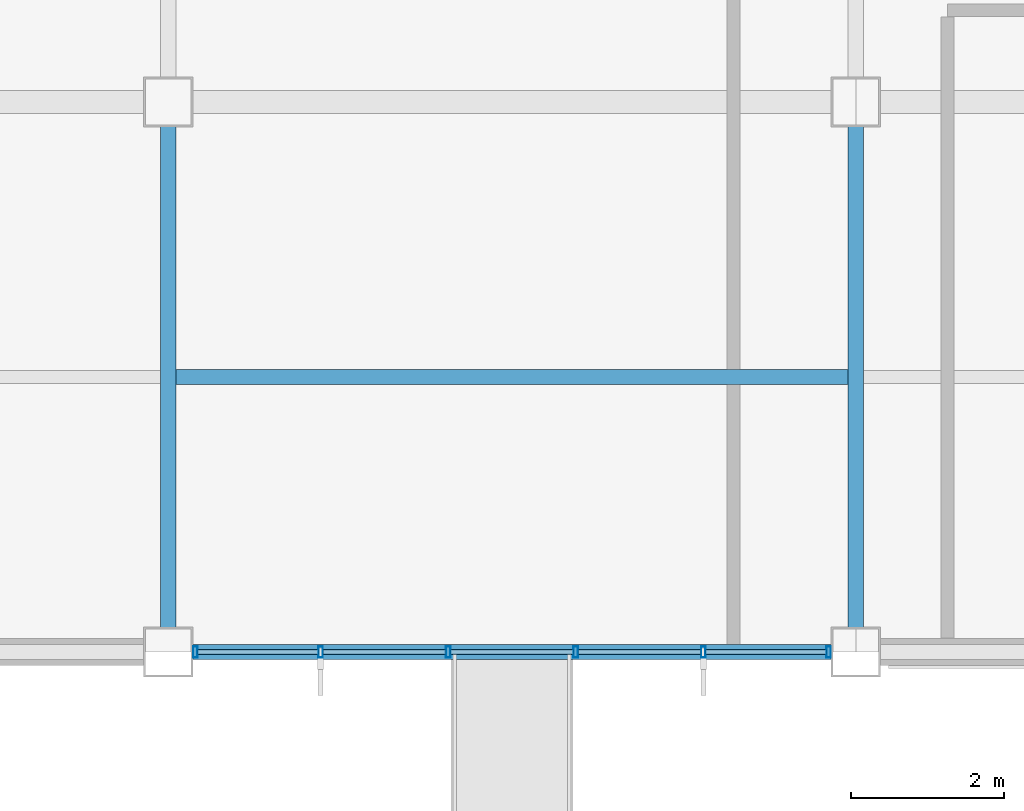
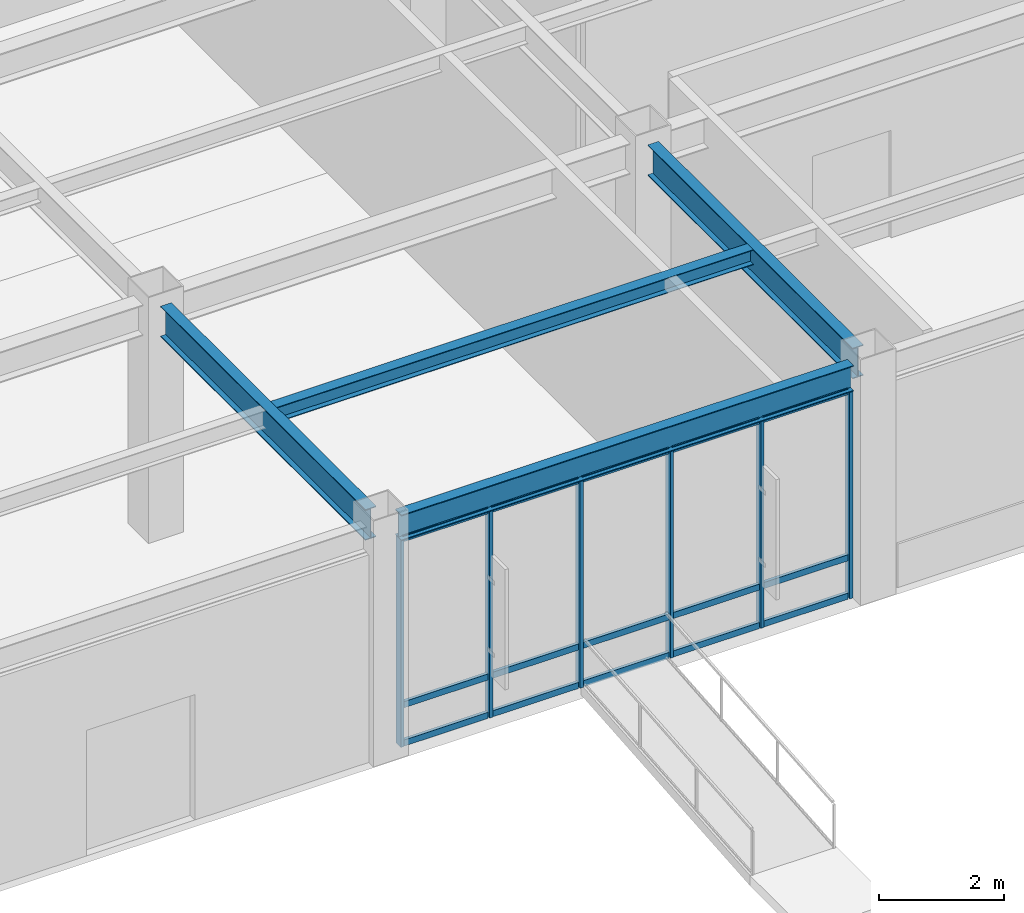
# One storey, part 26 of 112: 21 members, 4 beams, 1 element without a shape of its own.
"""IFC4 building model written with IfcOpenShell, lengths in metres."""

from ifc_helpers import new_model, si_unit, direction, frame, origin, origin_2d, place, context, subcontext, project, spatial, hollow_rectangle, i_section, extrude, material, material_profile, profile_set, type_object, element, aggregate, save


model = new_model("IFC4")

# Units and contexts
model_context = context("Model", 3, precision=1e-05, world=origin(), true_north=direction((0.0, 1.0)))
body_context = subcontext(model_context, "Body", "Model", "MODEL_VIEW")
ifc_project = project(units=[si_unit("LENGTHUNIT", "METRE"), si_unit("AREAUNIT", "SQUARE_METRE"), si_unit("VOLUMEUNIT", "CUBIC_METRE"), si_unit("PLANEANGLEUNIT", "RADIAN"), si_unit("MASSUNIT", "GRAM", prefix="KILO")], contexts=[model_context])

# Site, building, storey
site_placement = place(None, origin())
site = spatial("IfcSite", under=ifc_project, at=site_placement, CompositionType="ELEMENT")
building_placement = place(site_placement, origin())
building = spatial("IfcBuilding", under=site, at=building_placement, Name="Kazanami Central Library", CompositionType="ELEMENT")
storey_placement = place(building_placement, origin())
storey = spatial("IfcBuildingStorey", under=building, at=storey_placement, Name="L01", CompositionType="ELEMENT", Elevation=0.0)

# Beams
ifc_material_1 = material(Name="Steel SN400B (235 MPa)", Category="steel")
ifc_material_profile_1 = material_profile(ifc_material_1, i_section(OverallWidth=0.199951171875, OverallDepth=0.2939453125, WebThickness=0.008056640625, FlangeThickness=0.011962890625, at=origin_2d()), Name="H-294x200x8x12")
ifc_profile_set_1 = profile_set([ifc_material_profile_1], Name="Steel SN400B (235 MPa)")
beam_type_1 = type_object("IfcBeamType", Name="BM-B-S5", PredefinedType="JOIST", material=ifc_profile_set_1)
beam_1_placement = place(storey_placement, frame((9.097900390625, 61.199951171875, 4.407958984375), z_axis=(1.0, 0.0, 0.0), x_axis=(0.0, 1.0, 0.0)))
element("IfcBeam", 1, at=beam_1_placement, inside=storey, type_object=beam_type_1, Name="Composite Secondary Joist B-S5 L01 Bay 2/J.1", PredefinedType="JOIST", context=body_context, shape_type="SweptSolid", body=[
    extrude(i_section(OverallWidth=0.199951171875, OverallDepth=0.2939453125, WebThickness=0.008056640625, FlangeThickness=0.011962890625, at=origin_2d()), origin(), (0.0, 0.0, 1.0), 8.80419921875),
])
ifc_material_2 = material(Name="Steel SN490B (325 MPa)", Category="steel")
ifc_material_profile_2 = material_profile(ifc_material_2, i_section(OverallWidth=0.199951171875, OverallDepth=0.60009765625, WebThickness=0.010986328125, FlangeThickness=0.01708984375, at=origin_2d()), Name="H-600x200x11x17")
ifc_profile_set_2 = profile_set([ifc_material_profile_2], Name="Steel SN490B (325 MPa)")
beam_type_2 = type_object("IfcBeamType", Name="BM-G-Y1", PredefinedType="BEAM", material=ifc_profile_set_2)
for number, where, z_axis, x_axis, name in (
    (2, (9.0, 57.923095703125, 4.2548828125), (0.0, 1.0, 0.0), (-1.0, 0.0, 0.0), "Girder G-Y1 L01 2/J-K"),
    (3, (18.0, 57.923095703125, 4.2548828125), (0.0, 1.0, 0.0), (-1.0, 0.0, 0.0), "Girder G-Y1 L01 3/J-K"),
):
    element("IfcBeam", number, at=place(storey_placement, frame(where, z_axis=z_axis, x_axis=x_axis)), inside=storey, type_object=beam_type_2, Name=name, PredefinedType="BEAM", context=body_context, shape_type="SweptSolid", body=[
        extrude(i_section(OverallWidth=0.199951171875, OverallDepth=0.60009765625, WebThickness=0.010986328125, FlangeThickness=0.01708984375, at=origin_2d()), origin(), (0.0, 0.0, 1.0), 6.553955078125),
    ])
ifc_material_profile_3 = material_profile(ifc_material_2, i_section(OverallWidth=0.199951171875, OverallDepth=0.5, WebThickness=0.010009765625, FlangeThickness=0.01611328125, at=origin_2d()), Name="H-500x200x10x16")
ifc_profile_set_3 = profile_set([ifc_material_profile_3], Name="Steel SN490B (325 MPa)")
beam_type_3 = type_object("IfcBeamType", Name="BM-SP-1", PredefinedType="SPANDREL", material=ifc_profile_set_3)
beam_2_placement = place(storey_placement, frame((9.322998046875, 57.60009765625, 4.304931640625), z_axis=(1.0, 0.0, 0.0), x_axis=(0.0, 1.0, 0.0)))
element("IfcBeam", 4, at=beam_2_placement, inside=storey, type_object=beam_type_3, Name="Girder SP-1 L01 J/2-3", PredefinedType="SPANDREL", context=body_context, shape_type="SweptSolid", body=[
    extrude(i_section(OverallWidth=0.199951171875, OverallDepth=0.5, WebThickness=0.010009765625, FlangeThickness=0.01611328125, at=origin_2d()), origin(), (0.0, 0.0, 1.0), 8.35400390625),
])

# Curtain wall, members
ifc_material_3 = material(Name="Acid-Etched Low-E Laminated Glass", Category="glass")
curtain_wall_type = type_object("IfcCurtainWallType", Name="CW-8350x4055-M180", PredefinedType="USERDEFINED", material=ifc_material_3)
curtain_wall_placement = place(storey_placement, origin())
curtain_wall = element("IfcCurtainWall", 5, at=curtain_wall_placement, inside=storey, type_object=curtain_wall_type, Name="Unitised Curtain Wall CW-05 L01 S-J-01", ObjectType="UNITISED CURTAIN WALL", PredefinedType="USERDEFINED")
ifc_material_4 = material(Name="Anodised Aluminium A6063-T5", Category="aluminium")
ifc_material_profile_4 = material_profile(ifc_material_4, hollow_rectangle(XDim=0.06005859375, YDim=0.14990234375, WallThickness=0.00390625, at=origin_2d()), Name="ALU-MULL-60x150x4")
ifc_profile_set_4 = profile_set([ifc_material_profile_4], Name="Anodised Aluminium A6063-T5")
member_type_1 = type_object("IfcMemberType", Name="MEM-CW-M3", PredefinedType="MULLION", material=ifc_profile_set_4)
member_1_placement = place(storey_placement, frame((9.35498046875, 57.60009765625, 0.0), z_axis=(0.0, 0.0, 1.0), x_axis=(1.0, 0.0, 0.0)))
member_1 = element("IfcMember", 6, at=member_1_placement, type_object=member_type_1, Name="CW-05 mullion 1", PredefinedType="MULLION", context=body_context, shape_type="SweptSolid", body=[
    extrude(hollow_rectangle(XDim=0.06005859375, YDim=0.14990234375, WallThickness=0.00390625, at=origin_2d()), origin(), (0.0, 0.0, 1.0), 4.054931640625),
])
member_2_placement = place(storey_placement, frame((10.9951171875, 57.60009765625, 0.0), z_axis=(0.0, 0.0, 1.0), x_axis=(1.0, 0.0, 0.0)))
member_2 = element("IfcMember", 7, at=member_2_placement, type_object=member_type_1, Name="CW-05 mullion 2", PredefinedType="MULLION", context=body_context, shape_type="SweptSolid", body=[
    extrude(hollow_rectangle(XDim=0.06005859375, YDim=0.14990234375, WallThickness=0.00390625, at=origin_2d()), origin(), (0.0, 0.0, 1.0), 4.054931640625),
])
member_3_placement = place(storey_placement, frame((12.6650390625, 57.60009765625, 0.0), z_axis=(0.0, 0.0, 1.0), x_axis=(1.0, 0.0, 0.0)))
member_3 = element("IfcMember", 8, at=member_3_placement, type_object=member_type_1, Name="CW-05 mullion 3", PredefinedType="MULLION", context=body_context, shape_type="SweptSolid", body=[
    extrude(hollow_rectangle(XDim=0.06005859375, YDim=0.14990234375, WallThickness=0.00390625, at=origin_2d()), origin(), (0.0, 0.0, 1.0), 4.054931640625),
])
member_4_placement = place(storey_placement, frame((14.3349609375, 57.60009765625, 0.0), z_axis=(0.0, 0.0, 1.0), x_axis=(1.0, 0.0, 0.0)))
member_4 = element("IfcMember", 9, at=member_4_placement, type_object=member_type_1, Name="CW-05 mullion 4", PredefinedType="MULLION", context=body_context, shape_type="SweptSolid", body=[
    extrude(hollow_rectangle(XDim=0.06005859375, YDim=0.14990234375, WallThickness=0.00390625, at=origin_2d()), origin(), (0.0, 0.0, 1.0), 4.054931640625),
])
member_5_placement = place(storey_placement, frame((16.0048828125, 57.60009765625, 0.0), z_axis=(0.0, 0.0, 1.0), x_axis=(1.0, 0.0, 0.0)))
member_5 = element("IfcMember", 10, at=member_5_placement, type_object=member_type_1, Name="CW-05 mullion 5", PredefinedType="MULLION", context=body_context, shape_type="SweptSolid", body=[
    extrude(hollow_rectangle(XDim=0.06005859375, YDim=0.14990234375, WallThickness=0.00390625, at=origin_2d()), origin(), (0.0, 0.0, 1.0), 4.054931640625),
])
member_6_placement = place(storey_placement, frame((17.64501953125, 57.60009765625, 0.0), z_axis=(0.0, 0.0, 1.0), x_axis=(1.0, 0.0, 0.0)))
member_6 = element("IfcMember", 11, at=member_6_placement, type_object=member_type_1, Name="CW-05 mullion 6", PredefinedType="MULLION", context=body_context, shape_type="SweptSolid", body=[
    extrude(hollow_rectangle(XDim=0.06005859375, YDim=0.14990234375, WallThickness=0.00390625, at=origin_2d()), origin(), (0.0, 0.0, 1.0), 4.054931640625),
])
ifc_material_profile_5 = material_profile(ifc_material_4, hollow_rectangle(XDim=0.06005859375, YDim=0.1201171875, WallThickness=0.00341796875, at=origin_2d()), Name="ALU-TRAN-60x120x3.5")
ifc_profile_set_5 = profile_set([ifc_material_profile_5], Name="Anodised Aluminium A6063-T5")
member_type_2 = type_object("IfcMemberType", Name="MEM-CW-T3", PredefinedType="USERDEFINED", material=ifc_profile_set_5)
member_7_placement = place(storey_placement, frame((9.385009765625, 57.60009765625, 0.030029296875), z_axis=(1.0, 0.0, 0.0), x_axis=(0.0, 1.0, 0.0)))
member_7 = element("IfcMember", 12, at=member_7_placement, type_object=member_type_2, Name="CW-05 transom 1.1", ObjectType="TRANSOM", PredefinedType="USERDEFINED", context=body_context, shape_type="SweptSolid", body=[
    extrude(hollow_rectangle(XDim=0.06005859375, YDim=0.1201171875, WallThickness=0.00341796875, at=origin_2d()), origin(), (0.0, 0.0, 1.0), 1.580078125),
])
member_8_placement = place(storey_placement, frame((9.385009765625, 57.60009765625, 0.780029296875), z_axis=(1.0, 0.0, 0.0), x_axis=(0.0, 1.0, 0.0)))
member_8 = element("IfcMember", 13, at=member_8_placement, type_object=member_type_2, Name="CW-05 transom 1.2", ObjectType="TRANSOM", PredefinedType="USERDEFINED", context=body_context, shape_type="SweptSolid", body=[
    extrude(hollow_rectangle(XDim=0.06005859375, YDim=0.1201171875, WallThickness=0.00341796875, at=origin_2d()), origin(), (0.0, 0.0, 1.0), 1.580078125),
])
member_9_placement = place(storey_placement, frame((9.385009765625, 57.60009765625, 4.02490234375), z_axis=(1.0, 0.0, 0.0), x_axis=(0.0, 1.0, 0.0)))
member_9 = element("IfcMember", 14, at=member_9_placement, type_object=member_type_2, Name="CW-05 transom 1.3", ObjectType="TRANSOM", PredefinedType="USERDEFINED", context=body_context, shape_type="SweptSolid", body=[
    extrude(hollow_rectangle(XDim=0.06005859375, YDim=0.1201171875, WallThickness=0.00341796875, at=origin_2d()), origin(), (0.0, 0.0, 1.0), 1.580078125),
])
member_10_placement = place(storey_placement, frame((11.02490234375, 57.60009765625, 0.030029296875), z_axis=(1.0, 0.0, 0.0), x_axis=(0.0, 1.0, 0.0)))
member_10 = element("IfcMember", 15, at=member_10_placement, type_object=member_type_2, Name="CW-05 transom 2.1", ObjectType="TRANSOM", PredefinedType="USERDEFINED", context=body_context, shape_type="SweptSolid", body=[
    extrude(hollow_rectangle(XDim=0.06005859375, YDim=0.1201171875, WallThickness=0.00341796875, at=origin_2d()), origin(), (0.0, 0.0, 1.0), 1.610107421875),
])
member_11_placement = place(storey_placement, frame((11.02490234375, 57.60009765625, 0.780029296875), z_axis=(1.0, 0.0, 0.0), x_axis=(0.0, 1.0, 0.0)))
member_11 = element("IfcMember", 16, at=member_11_placement, type_object=member_type_2, Name="CW-05 transom 2.2", ObjectType="TRANSOM", PredefinedType="USERDEFINED", context=body_context, shape_type="SweptSolid", body=[
    extrude(hollow_rectangle(XDim=0.06005859375, YDim=0.1201171875, WallThickness=0.00341796875, at=origin_2d()), origin(), (0.0, 0.0, 1.0), 1.610107421875),
])
member_12_placement = place(storey_placement, frame((11.02490234375, 57.60009765625, 4.02490234375), z_axis=(1.0, 0.0, 0.0), x_axis=(0.0, 1.0, 0.0)))
member_12 = element("IfcMember", 17, at=member_12_placement, type_object=member_type_2, Name="CW-05 transom 2.3", ObjectType="TRANSOM", PredefinedType="USERDEFINED", context=body_context, shape_type="SweptSolid", body=[
    extrude(hollow_rectangle(XDim=0.06005859375, YDim=0.1201171875, WallThickness=0.00341796875, at=origin_2d()), origin(), (0.0, 0.0, 1.0), 1.610107421875),
])
member_13_placement = place(storey_placement, frame((12.695068359375, 57.60009765625, 0.030029296875), z_axis=(1.0, 0.0, 0.0), x_axis=(0.0, 1.0, 0.0)))
member_13 = element("IfcMember", 18, at=member_13_placement, type_object=member_type_2, Name="CW-05 transom 3.1", ObjectType="TRANSOM", PredefinedType="USERDEFINED", context=body_context, shape_type="SweptSolid", body=[
    extrude(hollow_rectangle(XDim=0.06005859375, YDim=0.1201171875, WallThickness=0.00341796875, at=origin_2d()), origin(), (0.0, 0.0, 1.0), 1.60986328125),
])
member_14_placement = place(storey_placement, frame((12.695068359375, 57.60009765625, 0.780029296875), z_axis=(1.0, 0.0, 0.0), x_axis=(0.0, 1.0, 0.0)))
member_14 = element("IfcMember", 19, at=member_14_placement, type_object=member_type_2, Name="CW-05 transom 3.2", ObjectType="TRANSOM", PredefinedType="USERDEFINED", context=body_context, shape_type="SweptSolid", body=[
    extrude(hollow_rectangle(XDim=0.06005859375, YDim=0.1201171875, WallThickness=0.00341796875, at=origin_2d()), origin(), (0.0, 0.0, 1.0), 1.60986328125),
])
member_15_placement = place(storey_placement, frame((12.695068359375, 57.60009765625, 4.02490234375), z_axis=(1.0, 0.0, 0.0), x_axis=(0.0, 1.0, 0.0)))
member_15 = element("IfcMember", 20, at=member_15_placement, type_object=member_type_2, Name="CW-05 transom 3.3", ObjectType="TRANSOM", PredefinedType="USERDEFINED", context=body_context, shape_type="SweptSolid", body=[
    extrude(hollow_rectangle(XDim=0.06005859375, YDim=0.1201171875, WallThickness=0.00341796875, at=origin_2d()), origin(), (0.0, 0.0, 1.0), 1.60986328125),
])
member_16_placement = place(storey_placement, frame((14.364990234375, 57.60009765625, 0.030029296875), z_axis=(1.0, 0.0, 0.0), x_axis=(0.0, 1.0, 0.0)))
member_16 = element("IfcMember", 21, at=member_16_placement, type_object=member_type_2, Name="CW-05 transom 4.1", ObjectType="TRANSOM", PredefinedType="USERDEFINED", context=body_context, shape_type="SweptSolid", body=[
    extrude(hollow_rectangle(XDim=0.06005859375, YDim=0.1201171875, WallThickness=0.00341796875, at=origin_2d()), origin(), (0.0, 0.0, 1.0), 1.610107421875),
])
member_17_placement = place(storey_placement, frame((14.364990234375, 57.60009765625, 0.780029296875), z_axis=(1.0, 0.0, 0.0), x_axis=(0.0, 1.0, 0.0)))
member_17 = element("IfcMember", 22, at=member_17_placement, type_object=member_type_2, Name="CW-05 transom 4.2", ObjectType="TRANSOM", PredefinedType="USERDEFINED", context=body_context, shape_type="SweptSolid", body=[
    extrude(hollow_rectangle(XDim=0.06005859375, YDim=0.1201171875, WallThickness=0.00341796875, at=origin_2d()), origin(), (0.0, 0.0, 1.0), 1.610107421875),
])
member_18_placement = place(storey_placement, frame((14.364990234375, 57.60009765625, 4.02490234375), z_axis=(1.0, 0.0, 0.0), x_axis=(0.0, 1.0, 0.0)))
member_18 = element("IfcMember", 23, at=member_18_placement, type_object=member_type_2, Name="CW-05 transom 4.3", ObjectType="TRANSOM", PredefinedType="USERDEFINED", context=body_context, shape_type="SweptSolid", body=[
    extrude(hollow_rectangle(XDim=0.06005859375, YDim=0.1201171875, WallThickness=0.00341796875, at=origin_2d()), origin(), (0.0, 0.0, 1.0), 1.610107421875),
])
member_19_placement = place(storey_placement, frame((16.034912109375, 57.60009765625, 0.030029296875), z_axis=(1.0, 0.0, 0.0), x_axis=(0.0, 1.0, 0.0)))
member_19 = element("IfcMember", 24, at=member_19_placement, type_object=member_type_2, Name="CW-05 transom 5.1", ObjectType="TRANSOM", PredefinedType="USERDEFINED", context=body_context, shape_type="SweptSolid", body=[
    extrude(hollow_rectangle(XDim=0.06005859375, YDim=0.1201171875, WallThickness=0.00341796875, at=origin_2d()), origin(), (0.0, 0.0, 1.0), 1.580078125),
])
member_20_placement = place(storey_placement, frame((16.034912109375, 57.60009765625, 0.780029296875), z_axis=(1.0, 0.0, 0.0), x_axis=(0.0, 1.0, 0.0)))
member_20 = element("IfcMember", 25, at=member_20_placement, type_object=member_type_2, Name="CW-05 transom 5.2", ObjectType="TRANSOM", PredefinedType="USERDEFINED", context=body_context, shape_type="SweptSolid", body=[
    extrude(hollow_rectangle(XDim=0.06005859375, YDim=0.1201171875, WallThickness=0.00341796875, at=origin_2d()), origin(), (0.0, 0.0, 1.0), 1.580078125),
])
member_21_placement = place(storey_placement, frame((16.034912109375, 57.60009765625, 4.02490234375), z_axis=(1.0, 0.0, 0.0), x_axis=(0.0, 1.0, 0.0)))
member_21 = element("IfcMember", 26, at=member_21_placement, type_object=member_type_2, Name="CW-05 transom 5.3", ObjectType="TRANSOM", PredefinedType="USERDEFINED", context=body_context, shape_type="SweptSolid", body=[
    extrude(hollow_rectangle(XDim=0.06005859375, YDim=0.1201171875, WallThickness=0.00341796875, at=origin_2d()), origin(), (0.0, 0.0, 1.0), 1.580078125),
])
aggregate(curtain_wall, [member_1, member_2, member_3, member_4, member_5, member_6, member_7, member_8, member_9, member_10, member_11, member_12, member_13, member_14, member_15, member_16, member_17, member_18, member_19, member_20, member_21])

save(model, "model.ifc")
